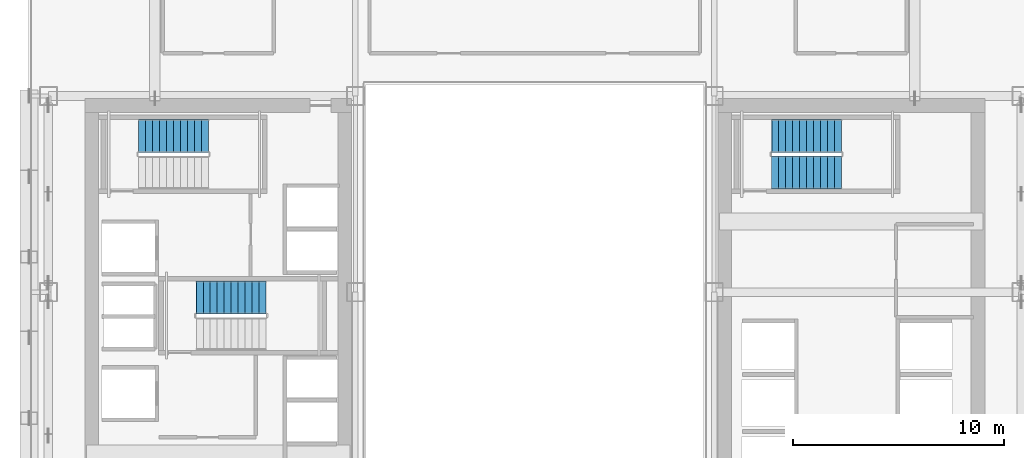
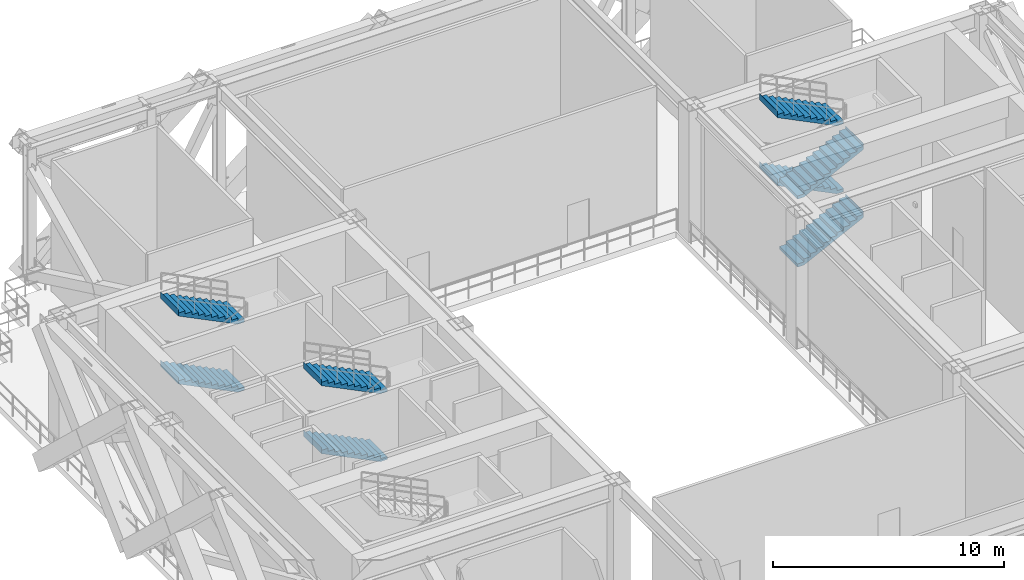
# One storey, part 9 of 14: 8 stair flights, 3 elements without a shape of their own.
"""IFC4 building model written with IfcOpenShell, lengths in metres."""

from ifc_helpers import new_model, si_unit, direction, frame, origin, place, context, subcontext, project, spatial, polyline, outline, extrude, source, transform, mapped, material, type_object, element, aggregate, save


model = new_model("IFC4")

# Units and contexts
model_context = context("Model", 3, precision=1e-05, world=origin(), true_north=direction((0.0, 1.0)))
body_context = subcontext(model_context, "Body", "Model", "MODEL_VIEW")
ifc_project = project(units=[si_unit("LENGTHUNIT", "METRE"), si_unit("AREAUNIT", "SQUARE_METRE"), si_unit("VOLUMEUNIT", "CUBIC_METRE"), si_unit("PLANEANGLEUNIT", "RADIAN"), si_unit("MASSUNIT", "GRAM", prefix="KILO")], contexts=[model_context])

# Site, building, storey
site_placement = place(None, origin())
site = spatial("IfcSite", under=ifc_project, at=site_placement, CompositionType="ELEMENT")
building_placement = place(site_placement, origin())
building = spatial("IfcBuilding", under=site, at=building_placement, Name="Ocotamira Hotel", CompositionType="ELEMENT")
storey_placement = place(building_placement, frame((0.0, 0.0, 85.199951171875)))
storey = spatial("IfcBuildingStorey", under=building, at=storey_placement, Name="L21", CompositionType="ELEMENT", Elevation=85.199951171875)

# Stair, stair flights
ifc_material = material(Name="Concrete C40/50", Category="concrete")
stair_type = type_object("IfcStairType", Name="ST-CORE-1560", PredefinedType="HALF_TURN_STAIR", material=ifc_material)
stair_1_placement = place(storey_placement, origin())
stair_1 = element("IfcStair", 1, at=stair_1_placement, inside=storey, type_object=stair_type, Name="L21 Exit Stair ST-2", PredefinedType="HALF_TURN_STAIR")
stair_flight_type = type_object("IfcStairFlightType", Name="STF-CORE-1560", PredefinedType="STRAIGHT", material=ifc_material)
shared_shape = source(origin(), body_context, "Body", "SweptSolid", [
    extrude(outline(polyline([(-0.00390625, 0.0), (-0.00390625, 0.16357421875), (0.330078125, 0.16357421875), (0.330078125, 0.327392578125), (0.659912109375, 0.327392578125), (0.659912109375, 0.490966796875), (0.989990234375, 0.490966796875), (0.989990234375, 0.654541015625), (1.320068359375, 0.654541015625), (1.320068359375, 0.818115234375), (1.64990234375, 0.818115234375), (1.64990234375, 0.98193359375), (1.97998046875, 0.98193359375), (1.97998046875, 1.1455078125), (2.31005859375, 1.1455078125), (2.31005859375, 1.30908203125), (2.639892578125, 1.30908203125), (2.639892578125, 1.47265625), (2.969970703125, 1.47265625), (2.969970703125, 1.636474609375), (3.300048828125, 1.636474609375), (3.300048828125, 1.800048828125), (3.303955078125, 1.800048828125), (3.303955078125, 1.468994140625), (0.33740234375, 0.0), (-0.00390625, 0.0)])), frame((0.0, 0.780029296875, 0.0), z_axis=(0.0, -1.0, 0.0), x_axis=(1.0, 0.0, 0.0)), (0.0, 0.0, 1.0), 1.56005859375),
])
stair_flight_1_placement = place(storey_placement, frame((16.530029296875, 35.550048828125, 1.800048828125), z_axis=(0.0, 0.0, 1.0), x_axis=(-1.0, 0.0, 0.0)))
stair_flight_1 = element("IfcStairFlight", 2, at=stair_flight_1_placement, type_object=stair_flight_type, Name="ST-2 flight 2", NumberOfRisers=11, NumberOfTreads=10, PredefinedType="STRAIGHT", RiserHeight=0.163636364, TreadLength=0.33, context=body_context, shape_type="MappedRepresentation", body=[
    mapped(shared_shape, transform((0.0, 0.0, 0.0), scale=1.0)),
])
stair_flight_2_placement = place(storey_placement, frame((16.530029296875, 35.550048828125, 5.400146484375), z_axis=(0.0, 0.0, 1.0), x_axis=(-1.0, 0.0, 0.0)))
stair_flight_2 = element("IfcStairFlight", 3, at=stair_flight_2_placement, type_object=stair_flight_type, Name="ST-2 flight 4", NumberOfRisers=11, NumberOfTreads=10, PredefinedType="STRAIGHT", RiserHeight=0.163636364, TreadLength=0.33, context=body_context, shape_type="MappedRepresentation", body=[
    mapped(shared_shape, transform((0.0, 0.0, 0.0), scale=1.0)),
])
aggregate(stair_1, [stair_flight_1, stair_flight_2])

stair_2_placement = place(storey_placement, origin())
stair_2 = element("IfcStair", 4, at=stair_2_placement, inside=storey, type_object=stair_type, Name="L21 Exit Stair ST-3", PredefinedType="HALF_TURN_STAIR")
stair_flight_3_placement = place(storey_placement, frame((19.260009765625, 27.89990234375, 1.800048828125), z_axis=(0.0, 0.0, 1.0), x_axis=(-1.0, 0.0, 0.0)))
stair_flight_3 = element("IfcStairFlight", 5, at=stair_flight_3_placement, type_object=stair_flight_type, Name="ST-3 flight 2", NumberOfRisers=11, NumberOfTreads=10, PredefinedType="STRAIGHT", RiserHeight=0.163636364, TreadLength=0.33, context=body_context, shape_type="MappedRepresentation", body=[
    mapped(shared_shape, transform((0.0, 0.0, 0.0), scale=1.0)),
])
stair_flight_4_placement = place(storey_placement, frame((19.260009765625, 27.89990234375, 5.400146484375), z_axis=(0.0, 0.0, 1.0), x_axis=(-1.0, 0.0, 0.0)))
stair_flight_4 = element("IfcStairFlight", 6, at=stair_flight_4_placement, type_object=stair_flight_type, Name="ST-3 flight 4", NumberOfRisers=11, NumberOfTreads=10, PredefinedType="STRAIGHT", RiserHeight=0.163636364, TreadLength=0.33, context=body_context, shape_type="MappedRepresentation", body=[
    mapped(shared_shape, transform((0.0, 0.0, 0.0), scale=1.0)),
])
aggregate(stair_2, [stair_flight_3, stair_flight_4])

stair_3_placement = place(storey_placement, origin())
stair_3 = element("IfcStair", 7, at=stair_3_placement, inside=storey, type_object=stair_type, Name="L21 Exit Stair ST-4", PredefinedType="HALF_TURN_STAIR")
stair_flight_5_placement = place(storey_placement, frame((43.22998046875, 33.830078125, 0.0), z_axis=(0.0, 0.0, 1.0), x_axis=(1.0, 0.0, 0.0)))
stair_flight_5 = element("IfcStairFlight", 8, at=stair_flight_5_placement, type_object=stair_flight_type, Name="ST-4 flight 1", NumberOfRisers=11, NumberOfTreads=10, PredefinedType="STRAIGHT", RiserHeight=0.163636364, TreadLength=0.33, context=body_context, shape_type="MappedRepresentation", body=[
    mapped(shared_shape, transform((0.0, 0.0, 0.0), scale=1.0)),
])
stair_flight_6_placement = place(storey_placement, frame((46.530029296875, 35.550048828125, 1.800048828125), z_axis=(0.0, 0.0, 1.0), x_axis=(-1.0, 0.0, 0.0)))
stair_flight_6 = element("IfcStairFlight", 9, at=stair_flight_6_placement, type_object=stair_flight_type, Name="ST-4 flight 2", NumberOfRisers=11, NumberOfTreads=10, PredefinedType="STRAIGHT", RiserHeight=0.163636364, TreadLength=0.33, context=body_context, shape_type="MappedRepresentation", body=[
    mapped(shared_shape, transform((0.0, 0.0, 0.0), scale=1.0)),
])
stair_flight_7_placement = place(storey_placement, frame((43.22998046875, 33.830078125, 3.60009765625), z_axis=(0.0, 0.0, 1.0), x_axis=(1.0, 0.0, 0.0)))
stair_flight_7 = element("IfcStairFlight", 10, at=stair_flight_7_placement, type_object=stair_flight_type, Name="ST-4 flight 3", NumberOfRisers=11, NumberOfTreads=10, PredefinedType="STRAIGHT", RiserHeight=0.163636364, TreadLength=0.33, context=body_context, shape_type="MappedRepresentation", body=[
    mapped(shared_shape, transform((0.0, 0.0, 0.0), scale=1.0)),
])
stair_flight_8_placement = place(storey_placement, frame((46.530029296875, 35.550048828125, 5.400146484375), z_axis=(0.0, 0.0, 1.0), x_axis=(-1.0, 0.0, 0.0)))
stair_flight_8 = element("IfcStairFlight", 11, at=stair_flight_8_placement, type_object=stair_flight_type, Name="ST-4 flight 4", NumberOfRisers=11, NumberOfTreads=10, PredefinedType="STRAIGHT", RiserHeight=0.163636364, TreadLength=0.33, context=body_context, shape_type="MappedRepresentation", body=[
    mapped(shared_shape, transform((0.0, 0.0, 0.0), scale=1.0)),
])
aggregate(stair_3, [stair_flight_5, stair_flight_6, stair_flight_7, stair_flight_8])

save(model, "model.ifc")
